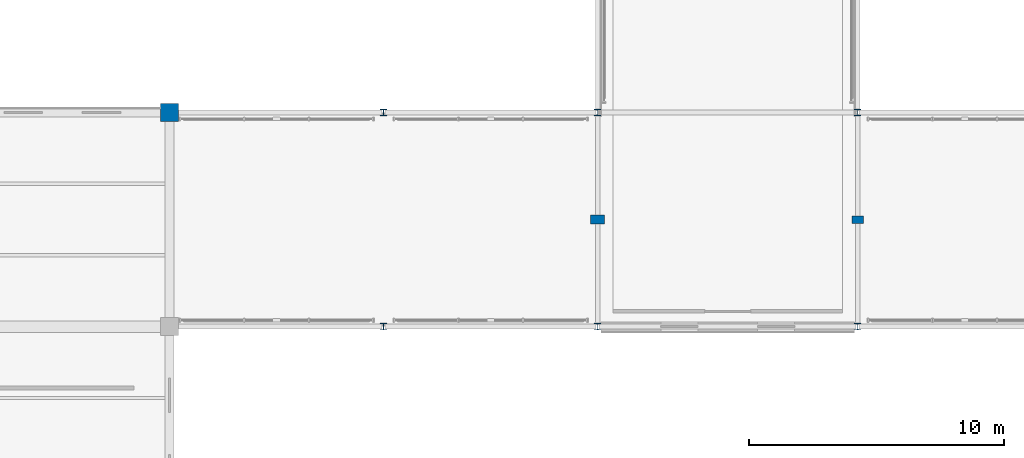
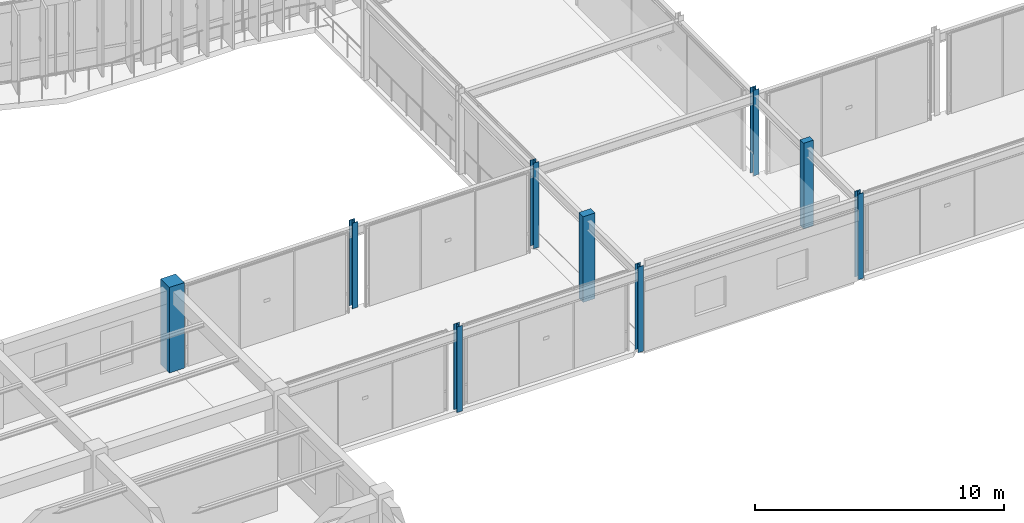
# One storey, part 3 of 152: 9 columns.
"""IFC4 building model written with IfcOpenShell, lengths in metres."""

from ifc_helpers import new_model, si_unit, direction, frame, origin, origin_2d, place, context, subcontext, project, spatial, rectangle, i_section, extrude, material, material_profile, profile_set, type_object, element, save


model = new_model("IFC4")

# Units and contexts
model_context = context("Model", 3, precision=1e-05, world=origin(), true_north=direction((0.0, 1.0)))
body_context = subcontext(model_context, "Body", "Model", "MODEL_VIEW")
ifc_project = project(units=[si_unit("LENGTHUNIT", "METRE"), si_unit("AREAUNIT", "SQUARE_METRE"), si_unit("VOLUMEUNIT", "CUBIC_METRE"), si_unit("PLANEANGLEUNIT", "RADIAN"), si_unit("MASSUNIT", "GRAM", prefix="KILO"), si_unit("THERMODYNAMICTEMPERATUREUNIT", "KELVIN"), si_unit("POWERUNIT", "WATT")], contexts=[model_context])

# Site, building, storey
site_placement = place(None, origin())
site = spatial("IfcSite", under=ifc_project, at=site_placement, CompositionType="ELEMENT")
building_placement = place(site_placement, origin())
building = spatial("IfcBuilding", under=site, at=building_placement, Name="Darbajah Civic Hall", CompositionType="ELEMENT")
storey_placement = place(building_placement, frame((0.0, 0.0, 5.39990234375)))
storey = spatial("IfcBuildingStorey", under=building, at=storey_placement, Name="L01", CompositionType="ELEMENT", Elevation=5.39990234375)

# Columns
ifc_material_1 = material(Name="Concrete C45/55", Category="concrete")
ifc_material_profile_1 = material_profile(ifc_material_1, rectangle(XDim=0.449951171875, YDim=0.300048828125, at=origin_2d()), Name="PILASTER 450x300")
ifc_profile_set_1 = profile_set([ifc_material_profile_1], Name="Concrete C45/55")
column_type_1 = type_object("IfcColumnType", Name="PILASTER 450x300", PredefinedType="PILASTER", material=ifc_profile_set_1)
column_1_placement = place(storey_placement, frame((94.199951171875, 37.800048828125, 0.0), z_axis=(0.0, 0.0, 1.0), x_axis=(1.0, 0.0, 0.0)))
element("IfcColumn", 1, at=column_1_placement, inside=storey, type_object=column_type_1, Name="L01 column PL-450", PredefinedType="PILASTER", context=body_context, shape_type="SweptSolid", body=[
    extrude(rectangle(XDim=0.449951171875, YDim=0.300048828125, at=origin_2d()), origin(), (0.0, 0.0, 1.0), 4.2001953125),
])
ifc_material_profile_2 = material_profile(ifc_material_1, rectangle(XDim=0.550048828125, YDim=0.35009765625, at=origin_2d()), Name="PILASTER 550x350")
ifc_profile_set_2 = profile_set([ifc_material_profile_2], Name="Concrete C45/55")
column_type_2 = type_object("IfcColumnType", Name="PILASTER 550x350", PredefinedType="PILASTER", material=ifc_profile_set_2)
column_2_placement = place(storey_placement, frame((84.0, 37.800048828125, 0.0), z_axis=(0.0, 0.0, 1.0), x_axis=(1.0, 0.0, 0.0)))
element("IfcColumn", 2, at=column_2_placement, inside=storey, type_object=column_type_2, Name="L01 column PL-550", PredefinedType="PILASTER", context=body_context, shape_type="SweptSolid", body=[
    extrude(rectangle(XDim=0.550048828125, YDim=0.35009765625, at=origin_2d()), origin(), (0.0, 0.0, 1.0), 4.2001953125),
])
ifc_material_profile_3 = material_profile(ifc_material_1, rectangle(XDim=0.699951171875, YDim=0.699951171875, at=origin_2d()), Name="RC COL 700x700")
ifc_profile_set_3 = profile_set([ifc_material_profile_3], Name="Concrete C45/55")
column_type_3 = type_object("IfcColumnType", Name="RC COL 700x700", PredefinedType="COLUMN", material=ifc_profile_set_3)
column_3_placement = place(storey_placement, frame((67.199951171875, 42.0, 0.0), z_axis=(0.0, 0.0, 1.0), x_axis=(1.0, 0.0, 0.0)))
element("IfcColumn", 3, at=column_3_placement, inside=storey, type_object=column_type_3, Name="L01 column C-RC700", PredefinedType="COLUMN", context=body_context, shape_type="SweptSolid", body=[
    extrude(rectangle(XDim=0.699951171875, YDim=0.699951171875, at=origin_2d()), origin(), (0.0, 0.0, 1.0), 4.2001953125),
])
ifc_material_2 = material(Name="Steel S355JR", Category="steel")
ifc_material_profile_4 = material_profile(ifc_material_2, i_section(OverallWidth=0.25634765625, OverallDepth=0.26025390625, WebThickness=0.01025390625, FlangeThickness=0.017333984375, FilletRadius=0.0126953125, at=origin_2d()), Name="UC 254x254x89")
ifc_profile_set_4 = profile_set([ifc_material_profile_4], Name="Steel S355JR")
column_type_4 = type_object("IfcColumnType", Name="UC 254x254x89", PredefinedType="COLUMN", material=ifc_profile_set_4)
for number, where, z_axis, x_axis, name in (
    (4, (75.60009765625, 33.60009765625, 0.0), (0.0, 0.0, 1.0), (1.0, 0.0, 0.0), "L01 column C-UC254"),
    (5, (75.60009765625, 42.0, 0.0), (0.0, 0.0, 1.0), (1.0, 0.0, 0.0), "L01 column C-UC254"),
    (6, (84.0, 33.60009765625, 0.0), (0.0, 0.0, 1.0), (1.0, 0.0, 0.0), "L01 column C-UC254"),
    (7, (84.0, 42.0, 0.0), (0.0, 0.0, 1.0), (1.0, 0.0, 0.0), "L01 column C-UC254"),
    (8, (94.199951171875, 33.60009765625, 0.0), (0.0, 0.0, 1.0), (1.0, 0.0, 0.0), "L01 column C-UC254"),
    (9, (94.199951171875, 42.0, 0.0), (0.0, 0.0, 1.0), (1.0, 0.0, 0.0), "L01 column C-UC254"),
):
    element("IfcColumn", number, at=place(storey_placement, frame(where, z_axis=z_axis, x_axis=x_axis)), inside=storey, type_object=column_type_4, Name=name, PredefinedType="COLUMN", context=body_context, shape_type="SweptSolid", body=[
        extrude(i_section(OverallWidth=0.25634765625, OverallDepth=0.26025390625, WebThickness=0.01025390625, FlangeThickness=0.017333984375, FilletRadius=0.0126953125, at=origin_2d()), origin(), (0.0, 0.0, 1.0), 4.2001953125),
    ])

save(model, "model.ifc")
